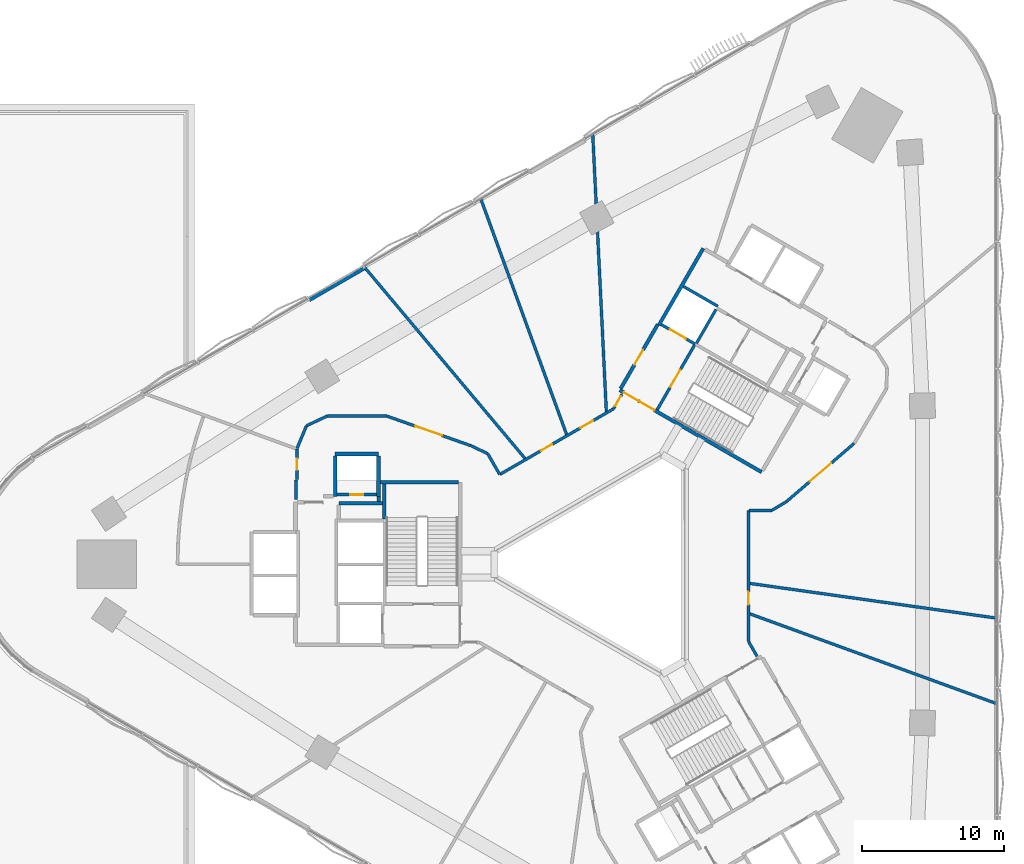
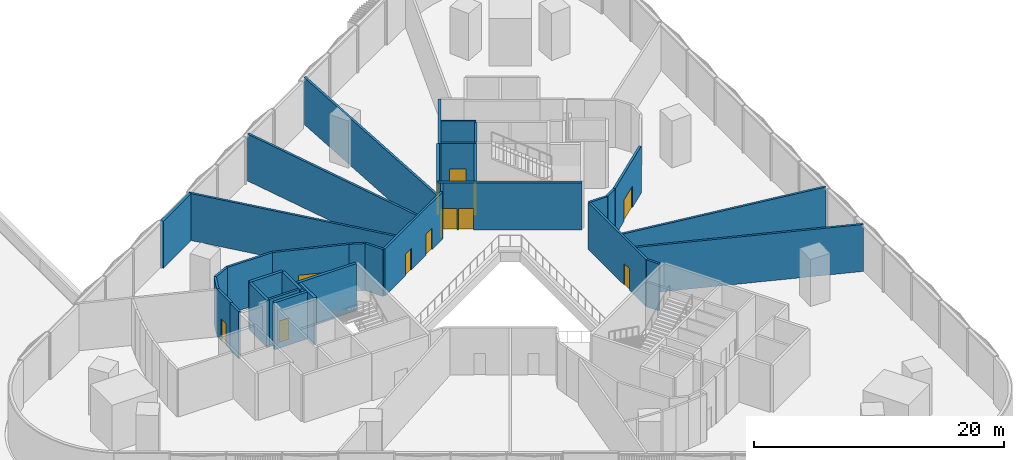
# One storey, part 9 of 14: 36 walls, 13 doors, 13 openings.
"""IFC4 building model written with IfcOpenShell, lengths in metres."""

from ifc_helpers import new_model, si_unit, direction, frame, frame_2d, origin, place, context, subcontext, project, spatial, rectangle, extrude, material, layer, layer_set, type_object, element, fill, save


model = new_model("IFC4")

# Units and contexts
model_context = context("Model", 3, precision=1e-05, world=origin(), true_north=direction((0.0, 1.0)))
body_context = subcontext(model_context, "Body", "Model", "MODEL_VIEW")
ifc_project = project(units=[si_unit("LENGTHUNIT", "METRE"), si_unit("AREAUNIT", "SQUARE_METRE"), si_unit("VOLUMEUNIT", "CUBIC_METRE"), si_unit("PLANEANGLEUNIT", "RADIAN"), si_unit("MASSUNIT", "GRAM", prefix="KILO")], contexts=[model_context])

# Site, building, storey
site_placement = place(None, origin())
site = spatial("IfcSite", under=ifc_project, at=site_placement, CompositionType="ELEMENT")
building_placement = place(site_placement, origin())
building = spatial("IfcBuilding", under=site, at=building_placement, Name="Tamra Quay Hotel Tower", CompositionType="ELEMENT")
storey_placement = place(building_placement, frame((0.0, 0.0, 24.5)))
storey = spatial("IfcBuildingStorey", under=building, at=storey_placement, Name="L04", CompositionType="ELEMENT", Elevation=24.5)

# Wall, opening, door
ifc_material_1 = material(Name="Concrete M70", Category="concrete")
ifc_layer_1 = layer(ifc_material_1, 0.199951171875)
ifc_layer_set_1 = layer_set([ifc_layer_1], Name="Concrete M70 core wall 200")
wall_type_1 = type_object("IfcWallType", Name="Concrete M70 core wall 200", PredefinedType="SHEAR", material=ifc_layer_set_1)
wall_1_placement = place(storey_placement, frame((-19.51123046875, 4.91015625, 0.0), z_axis=(0.0, 0.0, 1.0), x_axis=(1.0, 0.0, 0.0)))
wall_1 = element("IfcWall", 1, at=wall_1_placement, inside=storey, type_object=wall_type_1, Name="CW2", PredefinedType="SHEAR", context=body_context, shape_type="SweptSolid", body=[
    extrude(rectangle(XDim=2.7978515625, YDim=0.199951171875, at=frame_2d((1.39892578125, 0.0))), origin(), (0.0, 0.0, 1.0), 4.60009765625),
])
opening_1_placement = place(wall_1_placement, frame((0.948974609375, 0.0, 0.0)))
opening_1 = element("IfcOpeningElement", 2, at=opening_1_placement, cuts=wall_1, Name="Opening D1", PredefinedType="OPENING", context=body_context, shape_type="SweptSolid", body=[
    extrude(rectangle(XDim=0.89990234375, YDim=2.10009765625, at=frame_2d((0.449951171875, 1.050048828125))), frame((0.0, 0.10986328125, 0.0), z_axis=(0.0, -1.0, 0.0), x_axis=(1.0, 0.0, 0.0)), (0.0, 0.0, 1.0), 0.219970703125),
])
ifc_material_2 = material(Name="Core door D1 900x2100 RH")
door_type_1 = type_object("IfcDoorType", Name="Core door D1 900x2100 RH", OperationType="NOTDEFINED", PredefinedType="DOOR", material=ifc_material_2)
door_1_placement = place(opening_1_placement, origin())
door_1 = element("IfcDoor", 3, at=door_1_placement, inside=storey, type_object=door_type_1, Name="D1", OperationType="SINGLE_SWING_RIGHT", OverallHeight=2.10009765625, OverallWidth=0.89990234375, PredefinedType="DOOR", context=body_context, shape_type="SweptSolid", body=[
    extrude(rectangle(XDim=0.89990234375, YDim=2.10009765625, at=frame_2d((0.449951171875, 1.050048828125))), frame((0.0, 0.02490234375, 0.0), z_axis=(0.0, -1.0, 0.0), x_axis=(1.0, 0.0, 0.0)), (0.0, 0.0, 1.0), 0.050048828125),
])
fill(opening_1, door_1)

wall_2_placement = place(storey_placement, frame((3.056640625, 10.89453125, 0.0), z_axis=(0.0, 0.0, 1.0), x_axis=(0.499989418164, 0.866031513124, 0.0)))
wall_2 = element("IfcWall", 4, at=wall_2_placement, inside=storey, type_object=wall_type_1, Name="CW2", PredefinedType="SHEAR", context=body_context, shape_type="SweptSolid", body=[
    extrude(rectangle(XDim=5.2509765625, YDim=0.199951171875, at=frame_2d((2.62548828125, 0.0))), origin(), (0.0, 0.0, 1.0), 4.60009765625),
])
opening_2_placement = place(wall_2_placement, frame((1.84912109375, 0.0, 0.0)))
opening_2 = element("IfcOpeningElement", 5, at=opening_2_placement, cuts=wall_2, Name="Opening FD2", PredefinedType="OPENING", context=body_context, shape_type="SweptSolid", body=[
    extrude(rectangle(XDim=1.39990234375, YDim=2.10009765625, at=frame_2d((0.699951171875, 1.050048828125))), frame((0.0, 0.10986328125, 0.0), z_axis=(0.0, -1.0, 0.0), x_axis=(1.0, 0.0, 0.0)), (0.0, 0.0, 1.0), 0.219970703125),
])
ifc_material_3 = material(Name="Core door FD2 1400x2100 LH")
door_type_2 = type_object("IfcDoorType", Name="Core door FD2 1400x2100 LH", OperationType="NOTDEFINED", PredefinedType="DOOR", material=ifc_material_3)
door_2_placement = place(opening_2_placement, origin())
door_2 = element("IfcDoor", 6, at=door_2_placement, inside=storey, type_object=door_type_2, Name="FD2", OperationType="SINGLE_SWING_LEFT", OverallHeight=2.10009765625, OverallWidth=1.39990234375, PredefinedType="DOOR", context=body_context, shape_type="SweptSolid", body=[
    extrude(rectangle(XDim=1.39990234375, YDim=2.10009765625, at=frame_2d((0.699951171875, 1.050048828125))), frame((0.0, 0.02490234375, 0.0), z_axis=(0.0, -1.0, 0.0), x_axis=(1.0, 0.0, 0.0)), (0.0, 0.0, 1.0), 0.050048828125),
])
fill(opening_2, door_2)

# Wall
wall_3_placement = place(storey_placement, frame((7.199462890625, 17.969970703125, 0.0), z_axis=(0.0, 0.0, 1.0), x_axis=(-0.499968400327, -0.866043647095, 0.0)))
element("IfcWall", 7, at=wall_3_placement, inside=storey, type_object=wall_type_1, Name="CW2", PredefinedType="SHEAR", context=body_context, shape_type="SweptSolid", body=[
    extrude(rectangle(XDim=2.749755859375, YDim=0.199951171875, at=frame_2d((1.375, 0.0))), origin(), (0.0, 0.0, 1.0), 4.60009765625),
])

# Wall, opening, door
wall_4_placement = place(storey_placement, frame((5.72509765625, 15.530517578125, 0.0), z_axis=(0.0, 0.0, 1.0), x_axis=(-0.866037306777, 0.499979382845, 0.0)))
wall_4 = element("IfcWall", 8, at=wall_4_placement, inside=storey, type_object=wall_type_1, Name="CW2", PredefinedType="SHEAR", context=body_context, shape_type="SweptSolid", body=[
    extrude(rectangle(XDim=2.74169921875, YDim=0.199951171875, at=frame_2d((1.370849609375, 0.0))), origin(), (0.0, 0.0, 1.0), 4.60009765625),
])
opening_3_placement = place(wall_4_placement, frame((0.742919921875, 0.0, 0.0)))
opening_3 = element("IfcOpeningElement", 9, at=opening_3_placement, cuts=wall_4, Name="Opening LD", PredefinedType="OPENING", context=body_context, shape_type="SweptSolid", body=[
    extrude(rectangle(XDim=1.300048828125, YDim=2.10009765625, at=frame_2d((0.64990234375, 1.050048828125))), frame((0.0, 0.10986328125, 0.0), z_axis=(0.0, -1.0, 0.0), x_axis=(1.0, 0.0, 0.0)), (0.0, 0.0, 1.0), 0.219970703125),
])
ifc_material_4 = material(Name="Landing door LD 1300 sliding to left")
door_type_3 = type_object("IfcDoorType", Name="Landing door LD 1300 sliding to left", OperationType="NOTDEFINED", PredefinedType="DOOR", material=ifc_material_4)
door_3_placement = place(opening_3_placement, origin())
door_3 = element("IfcDoor", 10, at=door_3_placement, inside=storey, type_object=door_type_3, Name="LD", OperationType="SLIDING_TO_LEFT", OverallHeight=2.10009765625, OverallWidth=1.300048828125, PredefinedType="DOOR", context=body_context, shape_type="SweptSolid", body=[
    extrude(rectangle(XDim=1.300048828125, YDim=2.10009765625, at=frame_2d((0.64990234375, 1.050048828125))), frame((0.0, 0.02490234375, 0.0), z_axis=(0.0, -1.0, 0.0), x_axis=(1.0, 0.0, 0.0)), (0.0, 0.0, 1.0), 0.050048828125),
])
fill(opening_3, door_3)

# Walls
wall_5_placement = place(storey_placement, frame((4.900634765625, 19.5859375, 0.0), z_axis=(0.0, 0.0, 1.0), x_axis=(0.866022890907, -0.500004352405, 0.0)))
element("IfcWall", 11, at=wall_5_placement, inside=storey, type_object=wall_type_1, Name="CW2", PredefinedType="SHEAR", context=body_context, shape_type="SweptSolid", body=[
    extrude(rectangle(XDim=2.798828125, YDim=0.199951171875, at=frame_2d((1.3994140625, 0.0))), origin(), (0.0, 0.0, 1.0), 4.60009765625),
])
ifc_layer_2 = layer(ifc_material_1, 0.25)
ifc_layer_set_2 = layer_set([ifc_layer_2], Name="Concrete M70 core wall 250")
wall_type_2 = type_object("IfcWallType", Name="Concrete M70 core wall 250", PredefinedType="SHEAR", material=ifc_layer_set_2)
wall_6_placement = place(storey_placement, frame((-16.47216796875, 5.77490234375, 0.0), z_axis=(0.0, 0.0, 1.0), x_axis=(1.0, 0.0, 0.0)))
element("IfcWall", 12, at=wall_6_placement, inside=storey, type_object=wall_type_2, Name="CW1", PredefinedType="SHEAR", context=body_context, shape_type="SweptSolid", body=[
    extrude(rectangle(XDim=5.509521484375, YDim=0.25, at=frame_2d((2.7548828125, 0.0))), origin(), (0.0, 0.0, 1.0), 4.60009765625),
])
wall_7_placement = place(storey_placement, frame((-19.63720703125, 7.77490234375, 0.0), z_axis=(0.0, 0.0, 1.0), x_axis=(1.0, 0.0, 0.0)))
element("IfcWall", 13, at=wall_7_placement, inside=storey, type_object=wall_type_2, Name="CW1", PredefinedType="SHEAR", context=body_context, shape_type="SweptSolid", body=[
    extrude(rectangle(XDim=3.0498046875, YDim=0.25, at=frame_2d((1.52490234375, 0.0))), origin(), (0.0, 0.0, 1.0), 4.60009765625),
])
for number, where, z_axis, x_axis, name in (
    (14, (-16.58740234375, 7.649658203125, 0.0), (0.0, 0.0, 1.0), (0.0, -1.0, 0.0), "CW1"),
    (15, (-19.63720703125, 4.784912109375, 0.0), (0.0, 0.0, 1.0), (0.0, 1.0, 0.0), "CW1"),
):
    element("IfcWall", number, at=place(storey_placement, frame(where, z_axis=z_axis, x_axis=x_axis)), inside=storey, type_object=wall_type_2, Name=name, PredefinedType="SHEAR", context=body_context, shape_type="SweptSolid", body=[
        extrude(rectangle(XDim=2.86474609375, YDim=0.25, at=frame_2d((1.432373046875, 0.0))), origin(), (0.0, 0.0, 1.0), 4.60009765625),
    ])
wall_8_placement = place(storey_placement, frame((-16.30224609375, 4.31494140625, 0.0), z_axis=(0.0, 0.0, 1.0), x_axis=(-1.0, 0.0, 0.0)))
element("IfcWall", 16, at=wall_8_placement, inside=storey, type_object=wall_type_2, Name="CW1", PredefinedType="SHEAR", context=body_context, shape_type="SweptSolid", body=[
    extrude(rectangle(XDim=3.0849609375, YDim=0.25, at=frame_2d((1.54248046875, 0.0))), origin(), (0.0, 0.0, 1.0), 4.60009765625),
])
wall_9_placement = place(storey_placement, frame((-16.187255859375, 3.200439453125, 0.0), z_axis=(0.0, 0.0, 1.0), x_axis=(0.0, 1.0, 0.0)))
element("IfcWall", 17, at=wall_9_placement, inside=storey, type_object=wall_type_2, Name="CW1", PredefinedType="SHEAR", context=body_context, shape_type="SweptSolid", body=[
    extrude(rectangle(XDim=2.44921875, YDim=0.25, at=frame_2d((1.224609375, 0.0))), origin(), (0.0, 0.0, 1.0), 4.60009765625),
])
wall_10_placement = place(storey_placement, frame((-16.577392578125, 4.784912109375, 0.0), z_axis=(0.0, 0.0, 1.0), x_axis=(0.0, -1.0, 0.0)))
element("IfcWall", 18, at=wall_10_placement, inside=storey, type_object=wall_type_2, Name="CW1", PredefinedType="SHEAR", context=body_context, shape_type="SweptSolid", body=[
    extrude(rectangle(XDim=0.344482421875, YDim=0.25, at=frame_2d((0.17236328125, 0.0))), origin(), (0.0, 0.0, 1.0), 4.60009765625),
])

# Wall, openings, doors
wall_11_placement = place(storey_placement, frame((10.419921875, 6.497802734375, 0.0), z_axis=(0.0, 0.0, 1.0), x_axis=(-0.866021906294, 0.500006057782, 0.0)))
wall_11 = element("IfcWall", 19, at=wall_11_placement, inside=storey, type_object=wall_type_2, Name="CW1", PredefinedType="SHEAR", context=body_context, shape_type="SweptSolid", body=[
    extrude(rectangle(XDim=11.550048828125, YDim=0.25, at=frame_2d((5.77490234375, 0.0))), origin(), (0.0, 0.0, 1.0), 4.60009765625),
])
opening_4_placement = place(wall_11_placement, frame((10.02490234375, 0.0, 0.0)))
opening_4 = element("IfcOpeningElement", 20, at=opening_4_placement, cuts=wall_11, Name="Opening FD1", PredefinedType="OPENING", context=body_context, shape_type="SweptSolid", body=[
    extrude(rectangle(XDim=1.199951171875, YDim=2.10009765625, at=frame_2d((0.60009765625, 1.050048828125))), frame((0.0, 0.135009765625, 0.0), z_axis=(0.0, -1.0, 0.0), x_axis=(1.0, 0.0, 0.0)), (0.0, 0.0, 1.0), 0.27001953125),
])
opening_5_placement = place(wall_11_placement, frame((8.724853515625, 0.0, 0.0)))
opening_5 = element("IfcOpeningElement", 21, at=opening_5_placement, cuts=wall_11, Name="Opening FD1", PredefinedType="OPENING", context=body_context, shape_type="SweptSolid", body=[
    extrude(rectangle(XDim=1.199951171875, YDim=2.10009765625, at=frame_2d((0.60009765625, 1.050048828125))), frame((0.0, 0.135009765625, 0.0), z_axis=(0.0, -1.0, 0.0), x_axis=(1.0, 0.0, 0.0)), (0.0, 0.0, 1.0), 0.27001953125),
])
ifc_material_5 = material(Name="Core door FD1 1200x2100 LH")
door_type_4 = type_object("IfcDoorType", Name="Core door FD1 1200x2100 LH", OperationType="NOTDEFINED", PredefinedType="DOOR", material=ifc_material_5)
door_4_placement = place(opening_4_placement, origin())
door_4 = element("IfcDoor", 22, at=door_4_placement, inside=storey, type_object=door_type_4, Name="FD1", OperationType="SINGLE_SWING_LEFT", OverallHeight=2.10009765625, OverallWidth=1.199951171875, PredefinedType="DOOR", context=body_context, shape_type="SweptSolid", body=[
    extrude(rectangle(XDim=1.199951171875, YDim=2.10009765625, at=frame_2d((0.60009765625, 1.050048828125))), frame((0.0, 0.02490234375, 0.0), z_axis=(0.0, -1.0, 0.0), x_axis=(1.0, 0.0, 0.0)), (0.0, 0.0, 1.0), 0.050048828125),
])
fill(opening_4, door_4)
ifc_material_6 = material(Name="Core door FD1 1200x2100 RH")
door_type_5 = type_object("IfcDoorType", Name="Core door FD1 1200x2100 RH", OperationType="NOTDEFINED", PredefinedType="DOOR", material=ifc_material_6)
door_5_placement = place(opening_5_placement, origin())
door_5 = element("IfcDoor", 23, at=door_5_placement, inside=storey, type_object=door_type_5, Name="FD1", OperationType="SINGLE_SWING_RIGHT", OverallHeight=2.10009765625, OverallWidth=1.199951171875, PredefinedType="DOOR", context=body_context, shape_type="SweptSolid", body=[
    extrude(rectangle(XDim=1.199951171875, YDim=2.10009765625, at=frame_2d((0.60009765625, 1.050048828125))), frame((0.0, 0.02490234375, 0.0), z_axis=(0.0, -1.0, 0.0), x_axis=(1.0, 0.0, 0.0)), (0.0, 0.0, 1.0), 0.050048828125),
])
fill(opening_5, door_5)

# Wall
wall_12_placement = place(storey_placement, frame((3.178955078125, 16.856201171875, 0.0), z_axis=(0.0, 0.0, 1.0), x_axis=(0.500004234368, 0.866022959057, 0.0)))
element("IfcWall", 24, at=wall_12_placement, inside=storey, type_object=wall_type_2, Name="CW1", PredefinedType="SHEAR", context=body_context, shape_type="SweptSolid", body=[
    extrude(rectangle(XDim=6.25, YDim=0.25, at=frame_2d((3.125, 0.0))), origin(), (0.0, 0.0, 1.0), 4.60009765625),
])

# Wall, opening, door
wall_13_placement = place(storey_placement, frame((0.47998046875, 12.38134765625, 0.0), z_axis=(0.0, 0.0, 1.0), x_axis=(0.49999885962, 0.866026062182, 0.0)))
wall_13 = element("IfcWall", 25, at=wall_13_placement, inside=storey, type_object=wall_type_2, Name="CW1", PredefinedType="SHEAR", context=body_context, shape_type="SweptSolid", body=[
    extrude(rectangle(XDim=5.224609375, YDim=0.25, at=frame_2d((2.6123046875, 0.0))), origin(), (0.0, 0.0, 1.0), 4.60009765625),
])
opening_6_placement = place(wall_13_placement, frame((1.94970703125, 0.0, 0.0)))
opening_6 = element("IfcOpeningElement", 26, at=opening_6_placement, cuts=wall_13, Name="Opening D2", PredefinedType="OPENING", context=body_context, shape_type="SweptSolid", body=[
    extrude(rectangle(XDim=1.199951171875, YDim=2.10009765625, at=frame_2d((0.60009765625, 1.050048828125))), frame((0.0, 0.135009765625, 0.0), z_axis=(0.0, -1.0, 0.0), x_axis=(1.0, 0.0, 0.0)), (0.0, 0.0, 1.0), 0.27001953125),
])
ifc_material_7 = material(Name="Core door D2 1200x2100 RH")
door_type_6 = type_object("IfcDoorType", Name="Core door D2 1200x2100 RH", OperationType="NOTDEFINED", PredefinedType="DOOR", material=ifc_material_7)
door_6_placement = place(opening_6_placement, origin())
door_6 = element("IfcDoor", 27, at=door_6_placement, inside=storey, type_object=door_type_6, Name="D2", OperationType="SINGLE_SWING_RIGHT", OverallHeight=2.10009765625, OverallWidth=1.199951171875, PredefinedType="DOOR", context=body_context, shape_type="SweptSolid", body=[
    extrude(rectangle(XDim=1.199951171875, YDim=2.10009765625, at=frame_2d((0.60009765625, 1.050048828125))), frame((0.0, 0.02490234375, 0.0), z_axis=(0.0, -1.0, 0.0), x_axis=(1.0, 0.0, 0.0)), (0.0, 0.0, 1.0), 0.050048828125),
])
fill(opening_6, door_6)

# Walls
ifc_material_8 = material(Name="Blockwork masonry plastered", Category="masonry")
ifc_layer_3 = layer(ifc_material_8, 0.25)
ifc_layer_set_3 = layer_set([ifc_layer_3], Name="EXTERNAL WALL 250")
wall_type_3 = type_object("IfcWallType", Name="EXTERNAL WALL 250", PredefinedType="SOLIDWALL", material=ifc_layer_set_3)
wall_14_placement = place(storey_placement, frame((-21.47314453125, 18.62060546875, 0.0), z_axis=(0.0, 0.0, 1.0), x_axis=(0.865857232313, 0.500291168473, 0.0)))
element("IfcWall", 28, at=wall_14_placement, inside=storey, type_object=wall_type_3, Name="EW1", PredefinedType="SOLIDWALL", context=body_context, shape_type="SweptSolid", body=[
    extrude(rectangle(XDim=4.495849609375, YDim=0.25, at=frame_2d((2.248046875, 0.0))), origin(), (0.0, 0.0, 1.0), 4.60009765625),
])
ifc_material_9 = material(Name="Partition corridor wall")
ifc_layer_4 = layer(ifc_material_9, 0.199951171875)
ifc_layer_set_4 = layer_set([ifc_layer_4], Name="Partition corridor wall")
wall_type_4 = type_object("IfcWallType", Name="Partition corridor wall", PredefinedType="PARTITIONING", material=ifc_layer_set_4)
wall_15_placement = place(storey_placement, frame((-22.412109375, 4.56005859375, 0.0), z_axis=(0.0, 0.0, 1.0), x_axis=(0.0, 1.0, 0.0)))
element("IfcWall", 29, at=wall_15_placement, inside=storey, type_object=wall_type_4, Name="W-C", PredefinedType="PARTITIONING", context=body_context, shape_type="SweptSolid", body=[
    extrude(rectangle(XDim=1.389892578125, YDim=0.199951171875, at=frame_2d((0.69482421875, 0.0))), origin(), (0.0, 0.0, 1.0), 4.60009765625),
])

# Wall, opening, door
wall_16_placement = place(storey_placement, frame((-22.33203125, 8.138916015625, 0.0), z_axis=(0.0, 0.0, 1.0), x_axis=(0.000449236253, -0.999999899093, 0.0)))
wall_16 = element("IfcWall", 30, at=wall_16_placement, inside=storey, type_object=wall_type_4, Name="W-C", PredefinedType="PARTITIONING", context=body_context, shape_type="SweptSolid", body=[
    extrude(rectangle(XDim=2.173828125, YDim=0.199951171875, at=frame_2d((1.0869140625, 0.0))), origin(), (0.0, 0.0, 1.0), 4.60009765625),
])
opening_7_placement = place(wall_16_placement, frame((0.68701171875, 0.0, 0.0)))
opening_7 = element("IfcOpeningElement", 31, at=opening_7_placement, cuts=wall_16, Name="Opening L04-D007", PredefinedType="OPENING", context=body_context, shape_type="SweptSolid", body=[
    extrude(rectangle(XDim=0.800048828125, YDim=2.10009765625, at=frame_2d((0.39990234375, 1.050048828125))), frame((0.0, 0.10986328125, 0.0), z_axis=(0.0, -1.0, 0.0), x_axis=(1.0, 0.0, 0.0)), (0.0, 0.0, 1.0), 0.219970703125),
])
ifc_material_10 = material(Name="Door service room 800x2100")
door_type_7 = type_object("IfcDoorType", Name="Door service room 800x2100", OperationType="NOTDEFINED", PredefinedType="DOOR", material=ifc_material_10)
door_7_placement = place(opening_7_placement, frame((0.800048828125, 0.0, 0.0), z_axis=(0.0, 0.0, 1.0), x_axis=(-1.0, 0.0, 0.0)))
door_7 = element("IfcDoor", 32, at=door_7_placement, inside=storey, type_object=door_type_7, Name="L04-D007", OperationType="SINGLE_SWING_LEFT", OverallHeight=2.10009765625, OverallWidth=0.800048828125, PredefinedType="DOOR", context=body_context, shape_type="SweptSolid", body=[
    extrude(rectangle(XDim=0.800048828125, YDim=2.10009765625, at=frame_2d((0.39990234375, 1.050048828125))), frame((0.0, 0.02490234375, 0.0), z_axis=(0.0, -1.0, 0.0), x_axis=(1.0, 0.0, 0.0)), (0.0, 0.0, 1.0), 0.050048828125),
])
fill(opening_7, door_7)

# Walls
wall_17_placement = place(storey_placement, frame((-22.3291015625, 8.172119140625, 0.0), z_axis=(0.0, 0.0, 1.0), x_axis=(0.384382527802, 0.923173912283, 0.0)))
element("IfcWall", 33, at=wall_17_placement, inside=storey, type_object=wall_type_4, Name="W-C", PredefinedType="PARTITIONING", context=body_context, shape_type="SweptSolid", body=[
    extrude(rectangle(XDim=1.71240234375, YDim=0.199951171875, at=frame_2d((0.856201171875, 0.0))), origin(), (0.0, 0.0, 1.0), 4.60009765625),
])
wall_18_placement = place(storey_placement, frame((-21.662109375, 9.761962890625, 0.0), z_axis=(0.0, 0.0, 1.0), x_axis=(0.903777351921, 0.428002918394, 0.0)))
element("IfcWall", 34, at=wall_18_placement, inside=storey, type_object=wall_type_4, Name="W-C", PredefinedType="PARTITIONING", context=body_context, shape_type="SweptSolid", body=[
    extrude(rectangle(XDim=1.635498046875, YDim=0.199951171875, at=frame_2d((0.81787109375, 0.0))), origin(), (0.0, 0.0, 1.0), 4.60009765625),
])
wall_19_placement = place(storey_placement, frame((-20.174072265625, 10.465087890625, 0.0), z_axis=(0.0, 0.0, 1.0), x_axis=(0.999987409632, -0.005018025279, 0.0)))
element("IfcWall", 35, at=wall_19_placement, inside=storey, type_object=wall_type_4, Name="W-C", PredefinedType="PARTITIONING", context=body_context, shape_type="SweptSolid", body=[
    extrude(rectangle(XDim=4.18408203125, YDim=0.199951171875, at=frame_2d((2.092041015625, 0.0))), origin(), (0.0, 0.0, 1.0), 4.60009765625),
])

# Wall, opening, door
wall_20_placement = place(storey_placement, frame((-15.987060546875, 10.444091796875, 0.0), z_axis=(0.0, 0.0, 1.0), x_axis=(0.943118792832, -0.332455925811, 0.0)))
wall_20 = element("IfcWall", 36, at=wall_20_placement, inside=storey, type_object=wall_type_4, Name="W-C", PredefinedType="PARTITIONING", context=body_context, shape_type="SweptSolid", body=[
    extrude(rectangle(XDim=6.241943359375, YDim=0.199951171875, at=frame_2d((3.12109375, 0.0))), origin(), (0.0, 0.0, 1.0), 4.60009765625),
])
opening_8_placement = place(wall_20_placement, frame((2.12109375, 0.0, 0.0)))
opening_8 = element("IfcOpeningElement", 37, at=opening_8_placement, cuts=wall_20, Name="Opening L04-D006", PredefinedType="OPENING", context=body_context, shape_type="SweptSolid", body=[
    extrude(rectangle(XDim=2.0, YDim=2.10009765625, at=frame_2d((1.0, 1.050048828125))), frame((0.0, 0.10986328125, 0.0), z_axis=(0.0, -1.0, 0.0), x_axis=(1.0, 0.0, 0.0)), (0.0, 0.0, 1.0), 0.219970703125),
])
ifc_material_11 = material(Name="Door double leaf 2000x2100")
door_type_8 = type_object("IfcDoorType", Name="Door double leaf 2000x2100", OperationType="DOUBLE_DOOR_SINGLE_SWING", PredefinedType="DOOR", material=ifc_material_11)
door_8_placement = place(opening_8_placement, origin())
door_8 = element("IfcDoor", 38, at=door_8_placement, inside=storey, type_object=door_type_8, Name="L04-D006", OperationType="DOUBLE_DOOR_SINGLE_SWING", OverallHeight=2.10009765625, OverallWidth=2.0, PredefinedType="DOOR", context=body_context, shape_type="SweptSolid", body=[
    extrude(rectangle(XDim=2.0, YDim=2.10009765625, at=frame_2d((1.0, 1.050048828125))), frame((0.0, 0.02490234375, 0.0), z_axis=(0.0, -1.0, 0.0), x_axis=(1.0, 0.0, 0.0)), (0.0, 0.0, 1.0), 0.050048828125),
])
fill(opening_8, door_8)

# Walls
wall_21_placement = place(storey_placement, frame((-10.0830078125, 8.364990234375, 0.0), z_axis=(0.0, 0.0, 1.0), x_axis=(0.903403797446, -0.428790833344, 0.0)))
element("IfcWall", 39, at=wall_21_placement, inside=storey, type_object=wall_type_4, Name="W-C", PredefinedType="PARTITIONING", context=body_context, shape_type="SweptSolid", body=[
    extrude(rectangle(XDim=1.310791015625, YDim=0.199951171875, at=frame_2d((0.6552734375, 0.0))), origin(), (0.0, 0.0, 1.0), 4.60009765625),
])
wall_22_placement = place(storey_placement, frame((-8.885009765625, 7.7900390625, 0.0), z_axis=(0.0, 0.0, 1.0), x_axis=(0.499465657992, -0.86633368657, 0.0)))
element("IfcWall", 40, at=wall_22_placement, inside=storey, type_object=wall_type_4, Name="W-C", PredefinedType="PARTITIONING", context=body_context, shape_type="SweptSolid", body=[
    extrude(rectangle(XDim=1.673583984375, YDim=0.199951171875, at=frame_2d((0.8369140625, 0.0))), origin(), (0.0, 0.0, 1.0), 4.60009765625),
])

# Wall, openings, doors
wall_23_placement = place(storey_placement, frame((-8.0263671875, 6.338134765625, 0.0), z_axis=(0.0, 0.0, 1.0), x_axis=(0.866102328946, 0.499866738036, 0.0)))
wall_23 = element("IfcWall", 41, at=wall_23_placement, inside=storey, type_object=wall_type_4, Name="W-C", PredefinedType="PARTITIONING", context=body_context, shape_type="SweptSolid", body=[
    extrude(rectangle(XDim=9.22802734375, YDim=0.199951171875, at=frame_2d((4.614013671875, 0.0))), origin(), (0.0, 0.0, 1.0), 4.60009765625),
])
opening_9_placement = place(wall_23_placement, frame((6.56005859375, 0.0, 0.0)))
opening_9 = element("IfcOpeningElement", 42, at=opening_9_placement, cuts=wall_23, Name="Opening L04-D004", PredefinedType="OPENING", context=body_context, shape_type="SweptSolid", body=[
    extrude(rectangle(XDim=1.0, YDim=2.10009765625, at=frame_2d((0.5, 1.050048828125))), frame((0.0, 0.10986328125, 0.0), z_axis=(0.0, -1.0, 0.0), x_axis=(1.0, 0.0, 0.0)), (0.0, 0.0, 1.0), 0.219970703125),
])
opening_10_placement = place(wall_23_placement, frame((3.33056640625, 0.0, 0.0)))
opening_10 = element("IfcOpeningElement", 43, at=opening_10_placement, cuts=wall_23, Name="Opening L04-D005", PredefinedType="OPENING", context=body_context, shape_type="SweptSolid", body=[
    extrude(rectangle(XDim=0.89990234375, YDim=2.10009765625, at=frame_2d((0.449951171875, 1.050048828125))), frame((0.0, 0.10986328125, 0.0), z_axis=(0.0, -1.0, 0.0), x_axis=(1.0, 0.0, 0.0)), (0.0, 0.0, 1.0), 0.219970703125),
])
ifc_material_12 = material(Name="Door guest room 1000x2100")
door_type_9 = type_object("IfcDoorType", Name="Door guest room 1000x2100", OperationType="NOTDEFINED", PredefinedType="DOOR", material=ifc_material_12)
door_9_placement = place(opening_9_placement, origin())
door_9 = element("IfcDoor", 44, at=door_9_placement, inside=storey, type_object=door_type_9, Name="L04-D004", OperationType="SINGLE_SWING_LEFT", OverallHeight=2.10009765625, OverallWidth=1.0, PredefinedType="DOOR", context=body_context, shape_type="SweptSolid", body=[
    extrude(rectangle(XDim=1.0, YDim=2.10009765625, at=frame_2d((0.5, 1.050048828125))), frame((0.0, 0.02490234375, 0.0), z_axis=(0.0, -1.0, 0.0), x_axis=(1.0, 0.0, 0.0)), (0.0, 0.0, 1.0), 0.050048828125),
])
fill(opening_9, door_9)
ifc_material_13 = material(Name="Door service room 900x2100")
door_type_10 = type_object("IfcDoorType", Name="Door service room 900x2100", OperationType="NOTDEFINED", PredefinedType="DOOR", material=ifc_material_13)
door_10_placement = place(opening_10_placement, origin())
door_10 = element("IfcDoor", 45, at=door_10_placement, inside=storey, type_object=door_type_10, Name="L04-D005", OperationType="SINGLE_SWING_LEFT", OverallHeight=2.10009765625, OverallWidth=0.89990234375, PredefinedType="DOOR", context=body_context, shape_type="SweptSolid", body=[
    extrude(rectangle(XDim=0.89990234375, YDim=2.10009765625, at=frame_2d((0.449951171875, 1.050048828125))), frame((0.0, 0.02490234375, 0.0), z_axis=(0.0, -1.0, 0.0), x_axis=(1.0, 0.0, 0.0)), (0.0, 0.0, 1.0), 0.050048828125),
])
fill(opening_10, door_10)

# Wall, opening, door
wall_24_placement = place(storey_placement, frame((-0.02197265625, 10.962890625, 0.0), z_axis=(0.0, 0.0, 1.0), x_axis=(0.499463335884, 0.866335025327, 0.0)))
wall_24 = element("IfcWall", 46, at=wall_24_placement, inside=storey, type_object=wall_type_4, Name="W-C", PredefinedType="PARTITIONING", context=body_context, shape_type="SweptSolid", body=[
    extrude(rectangle(XDim=1.169189453125, YDim=0.199951171875, at=frame_2d((0.58447265625, 0.0))), origin(), (0.0, 0.0, 1.0), 4.60009765625),
])
opening_11_placement = place(wall_24_placement, frame((0.199951171875, 0.0, 0.0)))
opening_11 = element("IfcOpeningElement", 47, at=opening_11_placement, cuts=wall_24, Name="Opening L04-D003", PredefinedType="OPENING", context=body_context, shape_type="SweptSolid", body=[
    extrude(rectangle(XDim=0.820068359375, YDim=2.10009765625, at=frame_2d((0.41015625, 1.050048828125))), frame((0.0, 0.10986328125, 0.0), z_axis=(0.0, -1.0, 0.0), x_axis=(1.0, 0.0, 0.0)), (0.0, 0.0, 1.0), 0.219970703125),
])
ifc_material_14 = material(Name="Door guest room 820x2100")
door_type_11 = type_object("IfcDoorType", Name="Door guest room 820x2100", OperationType="NOTDEFINED", PredefinedType="DOOR", material=ifc_material_14)
door_11_placement = place(opening_11_placement, origin())
door_11 = element("IfcDoor", 48, at=door_11_placement, inside=storey, type_object=door_type_11, Name="L04-D003", OperationType="SINGLE_SWING_LEFT", OverallHeight=2.10009765625, OverallWidth=0.820068359375, PredefinedType="DOOR", context=body_context, shape_type="SweptSolid", body=[
    extrude(rectangle(XDim=0.820068359375, YDim=2.10009765625, at=frame_2d((0.41015625, 1.050048828125))), frame((0.0, 0.02490234375, 0.0), z_axis=(0.0, -1.0, 0.0), x_axis=(1.0, 0.0, 0.0)), (0.0, 0.0, 1.0), 0.050048828125),
])
fill(opening_11, door_11)

wall_25_placement = place(storey_placement, frame((9.5, -5.452880859375, 0.0), z_axis=(0.0, 0.0, 1.0), x_axis=(0.0, 1.0, 0.0)))
wall_25 = element("IfcWall", 49, at=wall_25_placement, inside=storey, type_object=wall_type_4, Name="W-C", PredefinedType="PARTITIONING", context=body_context, shape_type="SweptSolid", body=[
    extrude(rectangle(XDim=9.23583984375, YDim=0.199951171875, at=frame_2d((4.617919921875, 0.0))), origin(), (0.0, 0.0, 1.0), 4.60009765625),
])
opening_12_placement = place(wall_25_placement, frame((2.6064453125, 0.0, 0.0)))
opening_12 = element("IfcOpeningElement", 50, at=opening_12_placement, cuts=wall_25, Name="Opening L04-D013", PredefinedType="OPENING", context=body_context, shape_type="SweptSolid", body=[
    extrude(rectangle(XDim=0.89990234375, YDim=2.10009765625, at=frame_2d((0.449951171875, 1.050048828125))), frame((0.0, 0.10986328125, 0.0), z_axis=(0.0, -1.0, 0.0), x_axis=(1.0, 0.0, 0.0)), (0.0, 0.0, 1.0), 0.219970703125),
])
door_12_placement = place(opening_12_placement, frame((0.89990234375, 0.0, 0.0), z_axis=(0.0, 0.0, 1.0), x_axis=(-1.0, 0.0, 0.0)))
door_12 = element("IfcDoor", 51, at=door_12_placement, inside=storey, type_object=door_type_10, Name="L04-D013", OperationType="SINGLE_SWING_LEFT", OverallHeight=2.10009765625, OverallWidth=0.89990234375, PredefinedType="DOOR", context=body_context, shape_type="SweptSolid", body=[
    extrude(rectangle(XDim=0.89990234375, YDim=2.10009765625, at=frame_2d((0.449951171875, 1.050048828125))), frame((0.0, 0.02490234375, 0.0), z_axis=(0.0, -1.0, 0.0), x_axis=(1.0, 0.0, 0.0)), (0.0, 0.0, 1.0), 0.050048828125),
])
fill(opening_12, door_12)

# Walls
wall_26_placement = place(storey_placement, frame((9.507080078125, -5.467041015625, 0.0), z_axis=(0.0, 0.0, 1.0), x_axis=(0.501234666208, -0.865311394465, 0.0)))
element("IfcWall", 52, at=wall_26_placement, inside=storey, type_object=wall_type_4, Name="W-C", PredefinedType="PARTITIONING", context=body_context, shape_type="SweptSolid", body=[
    extrude(rectangle(XDim=1.1640625, YDim=0.199951171875, at=frame_2d((0.58203125, 0.0))), origin(), (0.0, 0.0, 1.0), 4.60009765625),
])
wall_27_placement = place(storey_placement, frame((9.510986328125, 3.7939453125, 0.0), z_axis=(0.0, 0.0, 1.0), x_axis=(1.0, 0.0, 0.0)))
element("IfcWall", 53, at=wall_27_placement, inside=storey, type_object=wall_type_4, Name="W-C", PredefinedType="PARTITIONING", context=body_context, shape_type="SweptSolid", body=[
    extrude(rectangle(XDim=1.6220703125, YDim=0.199951171875, at=frame_2d((0.81103515625, 0.0))), origin(), (0.0, 0.0, 1.0), 4.60009765625),
])
wall_28_placement = place(storey_placement, frame((11.135986328125, 3.797119140625, 0.0), z_axis=(0.0, 0.0, 1.0), x_axis=(0.856426766029, 0.516268529381, 0.0)))
element("IfcWall", 54, at=wall_28_placement, inside=storey, type_object=wall_type_4, Name="W-C", PredefinedType="PARTITIONING", context=body_context, shape_type="SweptSolid", body=[
    extrude(rectangle(XDim=1.21435546875, YDim=0.199951171875, at=frame_2d((0.607177734375, 0.0))), origin(), (0.0, 0.0, 1.0), 4.60009765625),
])

# Wall, opening, door
wall_29_placement = place(storey_placement, frame((12.18701171875, 4.43310546875, 0.0), z_axis=(0.0, 0.0, 1.0), x_axis=(0.757934867899, 0.652330235405, 0.0)))
wall_29 = element("IfcWall", 55, at=wall_29_placement, inside=storey, type_object=wall_type_4, Name="W-C", PredefinedType="PARTITIONING", context=body_context, shape_type="SweptSolid", body=[
    extrude(rectangle(XDim=6.279052734375, YDim=0.199951171875, at=frame_2d((3.1396484375, 0.0))), origin(), (0.0, 0.0, 1.0), 4.60009765625),
])
opening_13_placement = place(wall_29_placement, frame((2.139404296875, 0.0, 0.0)))
opening_13 = element("IfcOpeningElement", 56, at=opening_13_placement, cuts=wall_29, Name="Opening L04-D001", PredefinedType="OPENING", context=body_context, shape_type="SweptSolid", body=[
    extrude(rectangle(XDim=2.0, YDim=2.10009765625, at=frame_2d((1.0, 1.050048828125))), frame((0.0, 0.10986328125, 0.0), z_axis=(0.0, -1.0, 0.0), x_axis=(1.0, 0.0, 0.0)), (0.0, 0.0, 1.0), 0.219970703125),
])
door_13_placement = place(opening_13_placement, frame((2.0, 0.0, 0.0), z_axis=(0.0, 0.0, 1.0), x_axis=(-1.0, 0.0, 0.0)))
door_13 = element("IfcDoor", 57, at=door_13_placement, inside=storey, type_object=door_type_8, Name="L04-D001", OperationType="DOUBLE_DOOR_SINGLE_SWING", OverallHeight=2.10009765625, OverallWidth=2.0, PredefinedType="DOOR", context=body_context, shape_type="SweptSolid", body=[
    extrude(rectangle(XDim=2.0, YDim=2.10009765625, at=frame_2d((1.0, 1.050048828125))), frame((0.0, 0.02490234375, 0.0), z_axis=(0.0, -1.0, 0.0), x_axis=(1.0, 0.0, 0.0)), (0.0, 0.0, 1.0), 0.050048828125),
])
fill(opening_13, door_13)

# Walls
ifc_material_15 = material(Name="Partition party wall")
ifc_layer_5 = layer(ifc_material_15, 0.199951171875)
ifc_layer_set_5 = layer_set([ifc_layer_5], Name="Partition party wall")
wall_type_5 = type_object("IfcWallType", Name="Partition party wall", PredefinedType="PARTITIONING", material=ifc_layer_set_5)
wall_30_placement = place(storey_placement, frame((-17.620361328125, 20.998291015625, 0.0), z_axis=(0.0, 0.0, 1.0), x_axis=(0.642810047669, -0.766025614856, 0.0)))
element("IfcWall", 58, at=wall_30_placement, inside=storey, type_object=wall_type_5, Name="W-P", PredefinedType="PARTITIONING", context=body_context, shape_type="SweptSolid", body=[
    extrude(rectangle(XDim=17.763427734375, YDim=0.199951171875, at=frame_2d((8.8818359375, 0.0))), origin(), (0.0, 0.0, 1.0), 4.60009765625),
])
wall_31_placement = place(storey_placement, frame((-9.375, 25.758544921875, 0.0), z_axis=(0.0, 0.0, 1.0), x_axis=(0.342004596807, -0.93969827911, 0.0)))
element("IfcWall", 59, at=wall_31_placement, inside=storey, type_object=wall_type_5, Name="W-P", PredefinedType="PARTITIONING", context=body_context, shape_type="SweptSolid", body=[
    extrude(rectangle(XDim=17.7626953125, YDim=0.199951171875, at=frame_2d((8.88134765625, 0.0))), origin(), (0.0, 0.0, 1.0), 4.60009765625),
])
wall_32_placement = place(storey_placement, frame((-1.486328125, 30.313720703125, 0.0), z_axis=(0.0, 0.0, 1.0), x_axis=(0.048984129405, -0.998799557002, 0.0)))
element("IfcWall", 60, at=wall_32_placement, inside=storey, type_object=wall_type_5, Name="W-P", PredefinedType="PARTITIONING", context=body_context, shape_type="SweptSolid", body=[
    extrude(rectangle(XDim=19.667236328125, YDim=0.199951171875, at=frame_2d((9.83349609375, 0.0))), origin(), (0.0, 0.0, 1.0), 4.60009765625),
])
wall_33_placement = place(storey_placement, frame((9.501953125, -1.3349609375, 0.0), z_axis=(0.0, 0.0, 1.0), x_axis=(0.990260509173, -0.139226879493, 0.0)))
element("IfcWall", 61, at=wall_33_placement, inside=storey, type_object=wall_type_5, Name="W-P", PredefinedType="PARTITIONING", context=body_context, shape_type="SweptSolid", body=[
    extrude(rectangle(XDim=17.665283203125, YDim=0.199951171875, at=frame_2d((8.83251953125, 0.0))), origin(), (0.0, 0.0, 1.0), 4.60009765625),
])
wall_34_placement = place(storey_placement, frame((9.502685546875, -3.458984375, 0.0), z_axis=(0.0, 0.0, 1.0), x_axis=(0.939690375329, -0.342026312606, 0.0)))
element("IfcWall", 62, at=wall_34_placement, inside=storey, type_object=wall_type_5, Name="W-P", PredefinedType="PARTITIONING", context=body_context, shape_type="SweptSolid", body=[
    extrude(rectangle(XDim=18.615478515625, YDim=0.199951171875, at=frame_2d((9.3076171875, 0.0))), origin(), (0.0, 0.0, 1.0), 4.60009765625),
])

save(model, "model.ifc")
